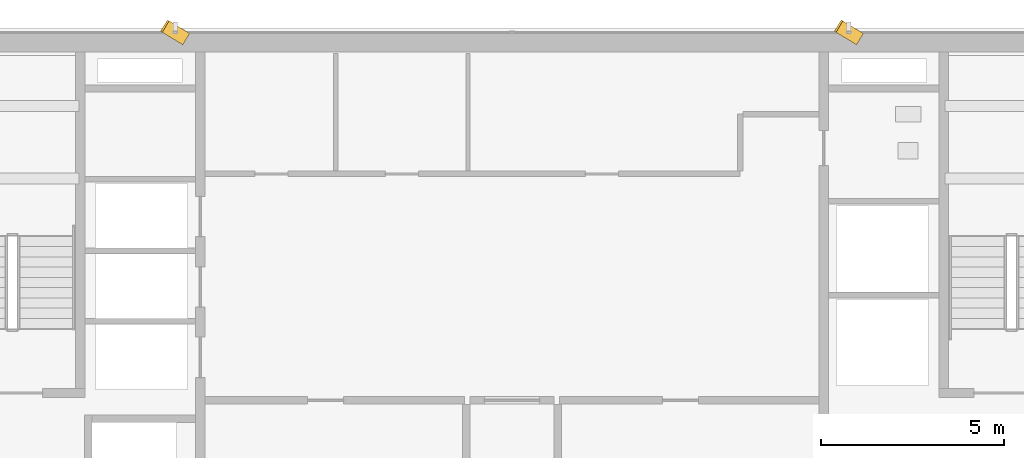
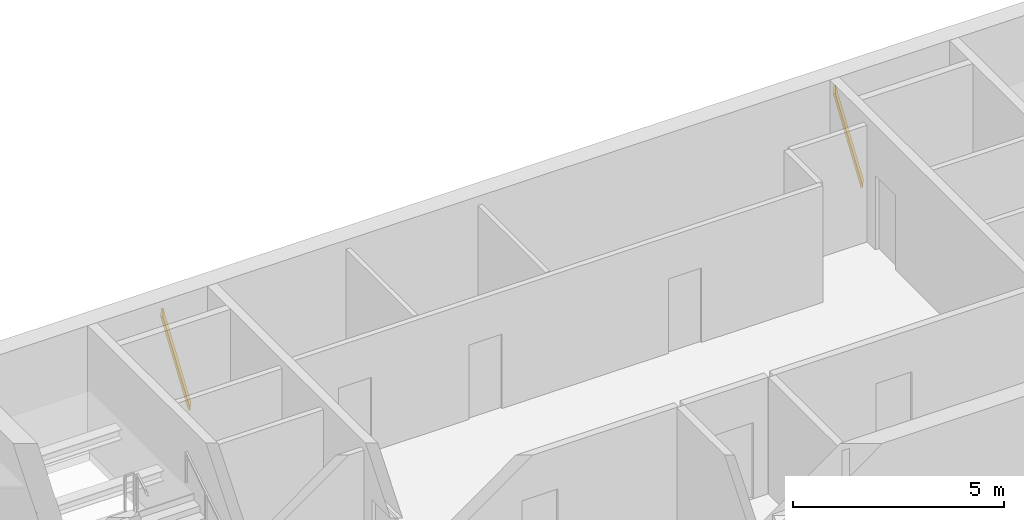
# One storey, part 25 of 26: 2 shading devices.
"""IFC4 building model written with IfcOpenShell, lengths in metres."""

from ifc_helpers import new_model, si_unit, direction, frame, origin, origin_2d, place, context, subcontext, project, spatial, rectangle, extrude, source, transform, mapped, material, material_profile, profile_set, type_object, element, save


model = new_model("IFC4")

# Units and contexts
model_context = context("Model", 3, precision=1e-05, world=origin(), true_north=direction((0.0, 1.0)))
body_context = subcontext(model_context, "Body", "Model", "MODEL_VIEW")
ifc_project = project(units=[si_unit("LENGTHUNIT", "METRE"), si_unit("AREAUNIT", "SQUARE_METRE"), si_unit("VOLUMEUNIT", "CUBIC_METRE"), si_unit("PLANEANGLEUNIT", "RADIAN"), si_unit("MASSUNIT", "GRAM", prefix="KILO")], contexts=[model_context])

# Site, building, storey
site_placement = place(None, origin())
site = spatial("IfcSite", under=ifc_project, at=site_placement, CompositionType="ELEMENT")
building_placement = place(site_placement, origin())
building = spatial("IfcBuilding", under=site, at=building_placement, Name="Sumidabori Civic Tower", CompositionType="ELEMENT")
storey_placement = place(building_placement, frame((0.0, 0.0, 264.800048828125)))
storey = spatial("IfcBuildingStorey", under=building, at=storey_placement, Name="L69", CompositionType="ELEMENT", Elevation=264.800048828125)

# Shading devices
ifc_material = material(Name="Anodised Bronze Aluminium AW-6063-T6", Category="aluminium")
ifc_material_profile = material_profile(ifc_material, rectangle(XDim=0.054931640625, YDim=0.360107421875, at=origin_2d()), Name="BRONZE FIN 360x55")
ifc_profile_set = profile_set([ifc_material_profile], Name="Anodised Bronze Aluminium AW-6063-T6")
shading_device_type = type_object("IfcShadingDeviceType", Name="SH-FIN-360", PredefinedType="USERDEFINED", material=ifc_profile_set)
shared_shape = source(origin(), body_context, "Body", "SweptSolid", [
    extrude(rectangle(XDim=0.054931640625, YDim=0.360107421875, at=origin_2d()), origin(), (0.0, 0.0, 1.0), 2.7685546875),
])
for number, where, z_axis, x_axis, name in (
    (1, (9.465087890625, 23.909912109375, 0.02001953125), (-0.202289930374, 0.122837782481, 0.971591304646), (0.830469701518, -0.504291322674, 0.236665030656), "Bronze Anodised Diagonal Fin L69-01"),
    (2, (-8.905029296875, 23.909912109375, 0.02001953125), (-0.202289930374, 0.122837782481, 0.971591304646), (0.830469701518, -0.504291322674, 0.236665030656), "Bronze Anodised Diagonal Fin L69-03"),
):
    element("IfcShadingDevice", number, at=place(storey_placement, frame(where, z_axis=z_axis, x_axis=x_axis)), inside=storey, type_object=shading_device_type, Name=name, ObjectType="FIN", PredefinedType="USERDEFINED", context=body_context, shape_type="MappedRepresentation", body=[
        mapped(shared_shape, transform((0.0, 0.0, 0.0), x_axis=(1.0, 0.0, 0.0), y_axis=(0.0, 1.0, 0.0), z_axis=(0.0, 0.0, 1.0), scale=1.0)),
    ])

save(model, "model.ifc")
